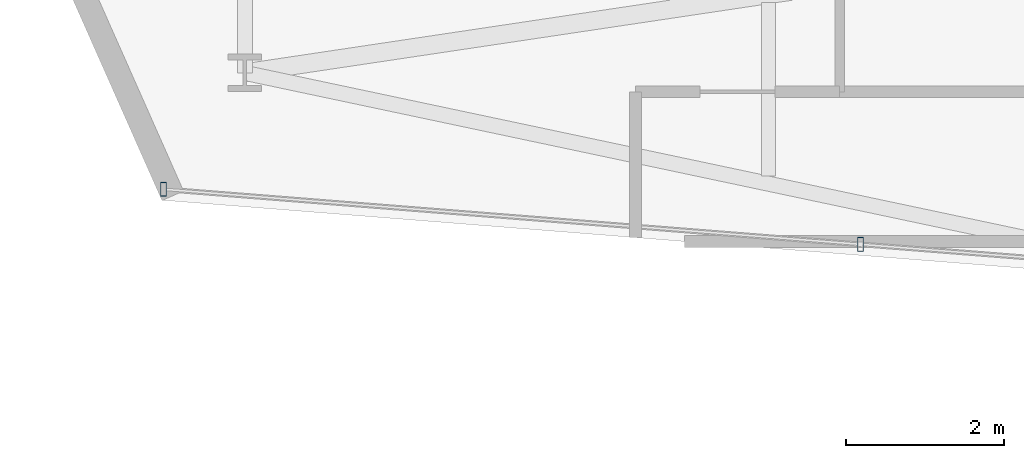
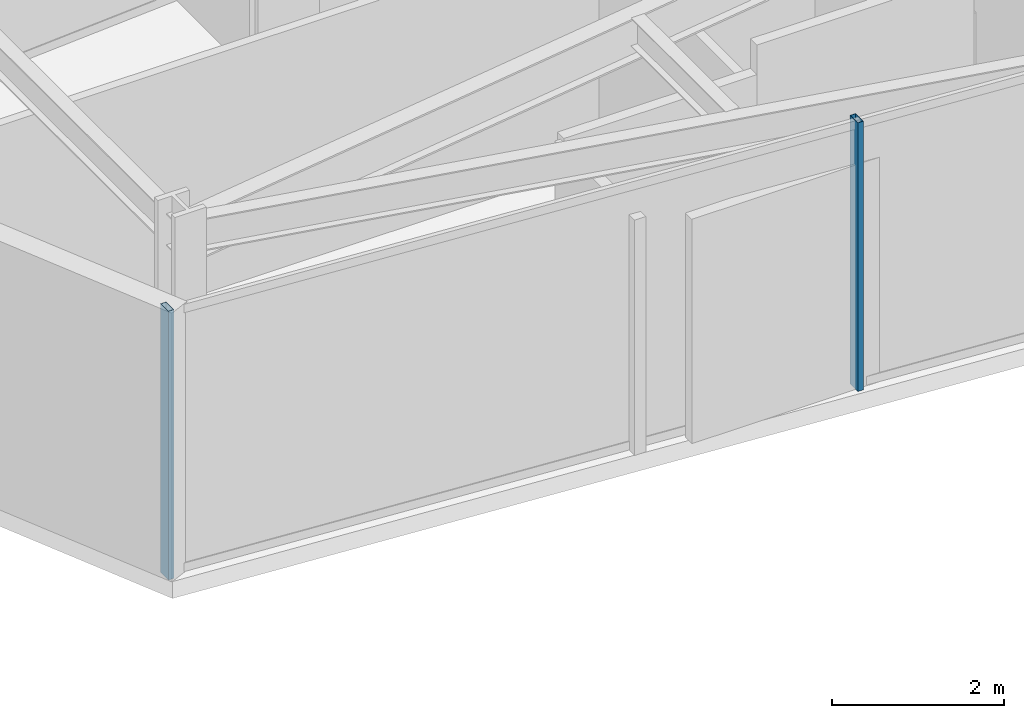
# One storey, part 2 of 25: 2 members, 1 element without a shape of its own.
"""IFC4 building model written with IfcOpenShell, lengths in metres."""

from ifc_helpers import new_model, si_unit, direction, frame, origin, origin_2d, place, context, subcontext, project, spatial, hollow_rectangle, extrude, material, layer, layer_set, material_profile, profile_set, type_object, element, aggregate, save


model = new_model("IFC4")

# Units and contexts
model_context = context("Model", 3, precision=1e-05, world=origin(), true_north=direction((0.0, 1.0)))
body_context = subcontext(model_context, "Body", "Model", "MODEL_VIEW")
ifc_project = project(units=[si_unit("LENGTHUNIT", "METRE"), si_unit("AREAUNIT", "SQUARE_METRE"), si_unit("VOLUMEUNIT", "CUBIC_METRE"), si_unit("PLANEANGLEUNIT", "RADIAN"), si_unit("MASSUNIT", "GRAM", prefix="KILO")], contexts=[model_context])

# Site, building, storey
site_placement = place(None, origin())
site = spatial("IfcSite", under=ifc_project, at=site_placement, CompositionType="ELEMENT")
building_placement = place(site_placement, origin())
building = spatial("IfcBuilding", under=site, at=building_placement, Name="Veymaron Broadcast Tower", CompositionType="ELEMENT")
storey_placement = place(building_placement, frame((0.0, 0.0, 74.25)))
storey = spatial("IfcBuildingStorey", under=building, at=storey_placement, Name="L16", CompositionType="ELEMENT", Elevation=74.25)

# Curtain wall, members
ifc_material_1 = material(Name="Anodised aluminium AA 6063-T6 and laminated low-E dark glass", Category="aluminium")
ifc_layer = layer(ifc_material_1, 0.179931640625)
ifc_layer_set = layer_set([ifc_layer], Name="Anodised aluminium AA 6063-T6 and laminated low-E dark glass")
curtain_wall_type = type_object("IfcCurtainWallType", Name="CW-SYS-02", PredefinedType="NOTDEFINED", material=ifc_layer_set)
curtain_wall_placement = place(storey_placement, origin())
curtain_wall = element("IfcCurtainWall", 1, at=curtain_wall_placement, inside=storey, type_object=curtain_wall_type, Name="L16 dark-glass curtain wall CW-L16-E14-1", PredefinedType="NOTDEFINED")
ifc_material_2 = material(Name="Anodised aluminium AA 6063-T6", Category="aluminium")
ifc_material_profile = material_profile(ifc_material_2, hollow_rectangle(XDim=0.074951171875, YDim=0.179931640625, WallThickness=0.0048828125, at=origin_2d()), Name="AL180X75X5")
ifc_profile_set = profile_set([ifc_material_profile], Name="Anodised aluminium AA 6063-T6")
member_type = type_object("IfcMemberType", Name="CW-MUL-02", PredefinedType="MULLION", material=ifc_profile_set)
member_1_placement = place(storey_placement, frame((8.010986328125, 19.212646484375, 0.0), z_axis=(0.0, 0.0, 1.0), x_axis=(1.0, 0.0, 0.0)))
member_1 = element("IfcMember", 2, at=member_1_placement, type_object=member_type, Name="CW-L16-E14-1 mullion 0", PredefinedType="MULLION", context=body_context, shape_type="SweptSolid", body=[
    extrude(hollow_rectangle(XDim=0.074951171875, YDim=0.179931640625, WallThickness=0.0048828125, at=origin_2d()), origin(), (0.0, 0.0, 1.0), 3.81005859375),
])
member_2_placement = place(storey_placement, frame((16.85498046875, 18.513916015625, 0.0), z_axis=(0.0, 0.0, 1.0), x_axis=(1.0, 0.0, 0.0)))
member_2 = element("IfcMember", 3, at=member_2_placement, type_object=member_type, Name="CW-L16-E14-1 mullion 1", PredefinedType="MULLION", context=body_context, shape_type="SweptSolid", body=[
    extrude(hollow_rectangle(XDim=0.074951171875, YDim=0.179931640625, WallThickness=0.0048828125, at=origin_2d()), origin(), (0.0, 0.0, 1.0), 3.81005859375),
])
aggregate(curtain_wall, [member_1, member_2])

save(model, "model.ifc")
